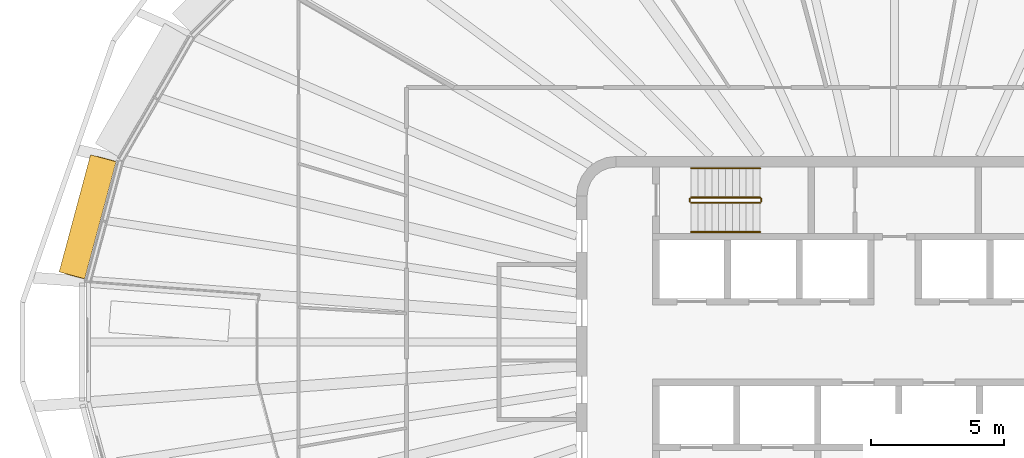
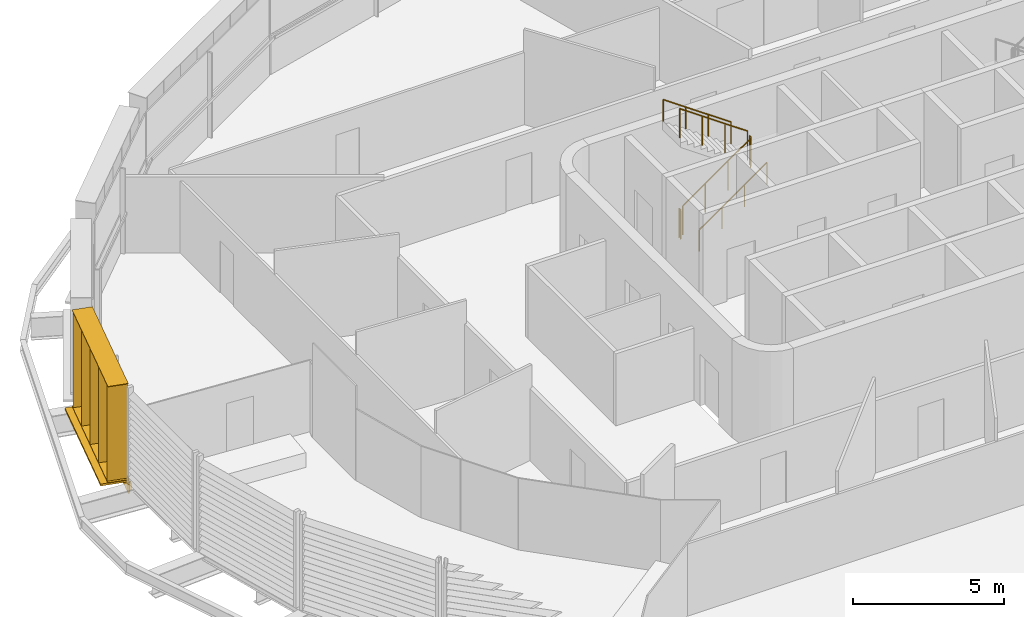
# One storey, part 17 of 20: 6 railings, 2 shading devices.
"""IFC4 building model written with IfcOpenShell, lengths in metres."""

from ifc_helpers import new_model, si_unit, direction, frame, origin, origin_2d, place, context, subcontext, project, spatial, rectangle, circle, extrude, material, type_object, element, save


model = new_model("IFC4")

# Units and contexts
model_context = context("Model", 3, precision=1e-05, world=origin(), true_north=direction((0.0, 1.0)))
body_context = subcontext(model_context, "Body", "Model", "MODEL_VIEW")
ifc_project = project(units=[si_unit("LENGTHUNIT", "METRE"), si_unit("AREAUNIT", "SQUARE_METRE"), si_unit("VOLUMEUNIT", "CUBIC_METRE"), si_unit("PLANEANGLEUNIT", "RADIAN"), si_unit("MASSUNIT", "GRAM", prefix="KILO")], contexts=[model_context])

# Site, building, storey
site_placement = place(None, origin())
site = spatial("IfcSite", under=ifc_project, at=site_placement, CompositionType="ELEMENT")
building_placement = place(site_placement, origin())
building = spatial("IfcBuilding", under=site, at=building_placement, Name="Sahrelin Media Tower", CompositionType="ELEMENT")
storey_placement = place(building_placement, frame((0.0, 0.0, 221.60009765625)))
storey = spatial("IfcBuildingStorey", under=building, at=storey_placement, Name="L47", CompositionType="ELEMENT", Elevation=221.60009765625)

# Shading device
ifc_material_1 = material(Name="Champagne anodised aluminium 6063-T6", Category="aluminium")
shading_device_type_1 = type_object("IfcShadingDeviceType", Name="Fin cassette", PredefinedType="USERDEFINED", material=ifc_material_1)
placement = place(storey_placement, frame((-29.930419921875, 4.587646484375, 0.0), z_axis=(0.0, 0.0, 1.0), x_axis=(0.258807731996, 0.965928857556, 0.0)))
element("IfcShadingDevice", 1, at=placement, inside=storey, type_object=shading_device_type_1, Name="L47:FIN:L47-11", ObjectType="FIN", PredefinedType="USERDEFINED", context=body_context, shape_type="SweptSolid", body=[
    extrude(rectangle(XDim=4.60009765625, YDim=0.699951171875, at=origin_2d()), frame((0.0, 0.419921875, 0.0)), (0.0, 0.0, 1.0), 0.02001953125),
    extrude(rectangle(XDim=4.60009765625, YDim=0.699951171875, at=origin_2d()), frame((0.0, 0.419921875, 3.89990234375)), (0.0, 0.0, 1.0), 0.02001953125),
    extrude(rectangle(XDim=0.02001953125, YDim=0.699951171875, at=origin_2d()), frame((-2.199951171875, 0.419921875, 0.010009765625), z_axis=(0.0, 0.0, 1.0), x_axis=(1.0, 0.0, 0.0)), (0.0, 0.0, 1.0), 3.89990234375),
    extrude(rectangle(XDim=0.02001953125, YDim=0.699951171875, at=origin_2d()), frame((-1.10009765625, 0.419921875, 0.010009765625), z_axis=(0.0, 0.0, 1.0), x_axis=(1.0, 0.0, 0.0)), (0.0, 0.0, 1.0), 3.89990234375),
    extrude(rectangle(XDim=0.02001953125, YDim=0.699951171875, at=origin_2d()), frame((0.0, 0.419921875, 0.010009765625), z_axis=(0.0, 0.0, 1.0), x_axis=(1.0, 0.0, 0.0)), (0.0, 0.0, 1.0), 3.89990234375),
    extrude(rectangle(XDim=0.02001953125, YDim=0.699951171875, at=origin_2d()), frame((1.10009765625, 0.419921875, 0.010009765625), z_axis=(0.0, 0.0, 1.0), x_axis=(1.0, 0.0, 0.0)), (0.0, 0.0, 1.0), 3.89990234375),
    extrude(rectangle(XDim=0.02001953125, YDim=0.699951171875, at=origin_2d()), frame((2.199951171875, 0.419921875, 0.010009765625), z_axis=(0.0, 0.0, 1.0), x_axis=(1.0, 0.0, 0.0)), (0.0, 0.0, 1.0), 3.89990234375),
])

# Railings
ifc_material_2 = material(Name="Steel S355", Category="steel")
railing_type_1 = type_object("IfcRailingType", Name="Stair guard 1200", PredefinedType="GUARDRAIL", material=ifc_material_2)
railing_1_placement = place(storey_placement, frame((-7.675048828125, 5.25, 0.181640625)))
element("IfcRailing", 2, at=railing_1_placement, inside=storey, type_object=railing_type_1, Name="L47 ST1 stair guard 1", PredefinedType="GUARDRAIL", context=body_context, shape_type="SweptSolid", body=[
    extrude(circle(Radius=0.02392578125, at=origin_2d()), frame((0.0, 0.0, 1.17578125), z_axis=(0.819484887739, 0.0, 0.573100792852), x_axis=(0.0, 1.0, 0.0)), (0.0, 0.0, 1.0), 3.1728515625),
    extrude(circle(Radius=0.02099609375, at=origin_2d()), origin(), (0.0, 0.0, 1.0), 1.15185546875),
    extrude(circle(Radius=0.02099609375, at=origin_2d()), frame((0.86669921875, 0.0, 0.606201171875)), (0.0, 0.0, 1.0), 1.15185546875),
    extrude(circle(Radius=0.02099609375, at=origin_2d()), frame((1.7333984375, 0.0, 1.212158203125)), (0.0, 0.0, 1.0), 1.15185546875),
    extrude(circle(Radius=0.02099609375, at=origin_2d()), frame((2.60009765625, 0.0, 1.818359375)), (0.0, 0.0, 1.0), 1.15185546875),
])
railing_2_placement = place(storey_placement, frame((-5.02490234375, 5.300048828125, 2.0)))
element("IfcRailing", 3, at=railing_2_placement, inside=storey, type_object=railing_type_1, Name="L47 ST1 stair guard 2", PredefinedType="GUARDRAIL", context=body_context, shape_type="SweptSolid", body=[
    extrude(circle(Radius=0.02392578125, at=origin_2d()), frame((0.0, 0.0, 1.17578125), z_axis=(0.0, 1.0, 0.0), x_axis=(-1.0, 0.0, 0.0)), (0.0, 0.0, 1.0), 0.099853515625),
    extrude(circle(Radius=0.02099609375, at=origin_2d()), origin(), (0.0, 0.0, 1.0), 1.15185546875),
    extrude(circle(Radius=0.02099609375, at=origin_2d()), frame((0.0, 0.099853515625, 0.0)), (0.0, 0.0, 1.0), 1.15185546875),
])
railing_3_placement = place(storey_placement, frame((-5.074951171875, 5.449951171875, 2.181640625)))
element("IfcRailing", 4, at=railing_3_placement, inside=storey, type_object=railing_type_1, Name="L47 ST1 stair guard 3", PredefinedType="GUARDRAIL", context=body_context, shape_type="SweptSolid", body=[
    extrude(circle(Radius=0.02392578125, at=origin_2d()), frame((0.0, 0.0, 1.17578125), z_axis=(-0.819484887739, 0.0, 0.573100792852), x_axis=(0.0, -1.0, 0.0)), (0.0, 0.0, 1.0), 3.1728515625),
    extrude(circle(Radius=0.02099609375, at=origin_2d()), origin(), (0.0, 0.0, 1.0), 1.15185546875),
    extrude(circle(Radius=0.02099609375, at=origin_2d()), frame((-0.86669921875, 0.0, 0.606201171875)), (0.0, 0.0, 1.0), 1.15185546875),
    extrude(circle(Radius=0.02099609375, at=origin_2d()), frame((-1.7333984375, 0.0, 1.212158203125)), (0.0, 0.0, 1.0), 1.15185546875),
    extrude(circle(Radius=0.02099609375, at=origin_2d()), frame((-2.60009765625, 0.0, 1.818359375)), (0.0, 0.0, 1.0), 1.15185546875),
])
railing_4_placement = place(storey_placement, frame((-7.72509765625, 5.300048828125, 0.0)))
element("IfcRailing", 5, at=railing_4_placement, inside=storey, type_object=railing_type_1, Name="L47 ST1 stair guard 4", PredefinedType="GUARDRAIL", context=body_context, shape_type="SweptSolid", body=[
    extrude(circle(Radius=0.02392578125, at=origin_2d()), frame((0.0, 0.0, 1.17578125), z_axis=(0.0, 1.0, 0.0), x_axis=(-1.0, 0.0, 0.0)), (0.0, 0.0, 1.0), 0.099853515625),
    extrude(circle(Radius=0.02099609375, at=origin_2d()), origin(), (0.0, 0.0, 1.0), 1.15185546875),
    extrude(circle(Radius=0.02099609375, at=origin_2d()), frame((0.0, 0.099853515625, 0.0)), (0.0, 0.0, 1.0), 1.15185546875),
])
railing_type_2 = type_object("IfcRailingType", Name="Stair handrail 900", PredefinedType="HANDRAIL", material=ifc_material_2)
railing_5_placement = place(storey_placement, frame((-7.675048828125, 4.14990234375, 0.181640625)))
element("IfcRailing", 6, at=railing_5_placement, inside=storey, type_object=railing_type_2, Name="L47 ST1 stair handrail 1", PredefinedType="HANDRAIL", context=body_context, shape_type="SweptSolid", body=[
    extrude(circle(Radius=0.02392578125, at=origin_2d()), frame((0.0, 0.0, 0.8759765625), z_axis=(0.819484887739, 0.0, 0.573100792852), x_axis=(0.0, 1.0, 0.0)), (0.0, 0.0, 1.0), 3.1728515625),
    extrude(circle(Radius=0.02099609375, at=origin_2d()), origin(), (0.0, 0.0, 1.0), 0.851806640625),
    extrude(circle(Radius=0.02099609375, at=origin_2d()), frame((0.86669921875, 0.0, 0.606201171875)), (0.0, 0.0, 1.0), 0.851806640625),
    extrude(circle(Radius=0.02099609375, at=origin_2d()), frame((1.7333984375, 0.0, 1.212158203125)), (0.0, 0.0, 1.0), 0.851806640625),
    extrude(circle(Radius=0.02099609375, at=origin_2d()), frame((2.60009765625, 0.0, 1.818359375)), (0.0, 0.0, 1.0), 0.851806640625),
])
railing_6_placement = place(storey_placement, frame((-5.074951171875, 6.550048828125, 2.181640625)))
element("IfcRailing", 7, at=railing_6_placement, inside=storey, type_object=railing_type_2, Name="L47 ST1 stair handrail 2", PredefinedType="HANDRAIL", context=body_context, shape_type="SweptSolid", body=[
    extrude(circle(Radius=0.02392578125, at=origin_2d()), frame((0.0, 0.0, 0.8759765625), z_axis=(-0.819484887739, 0.0, 0.573100792852), x_axis=(0.0, -1.0, 0.0)), (0.0, 0.0, 1.0), 3.1728515625),
    extrude(circle(Radius=0.02099609375, at=origin_2d()), origin(), (0.0, 0.0, 1.0), 0.851806640625),
    extrude(circle(Radius=0.02099609375, at=origin_2d()), frame((-0.86669921875, 0.0, 0.606201171875)), (0.0, 0.0, 1.0), 0.851806640625),
    extrude(circle(Radius=0.02099609375, at=origin_2d()), frame((-1.7333984375, 0.0, 1.212158203125)), (0.0, 0.0, 1.0), 0.851806640625),
    extrude(circle(Radius=0.02099609375, at=origin_2d()), frame((-2.60009765625, 0.0, 1.818359375)), (0.0, 0.0, 1.0), 0.851806640625),
])

# Shading device
shading_device_type_2 = type_object("IfcShadingDeviceType", Name="Sunshade band", PredefinedType="USERDEFINED", material=ifc_material_1)
element("IfcShadingDevice", 8, at=placement, inside=storey, type_object=shading_device_type_2, Name="L47:SUN:L47-11", ObjectType="SUNSHADE", PredefinedType="USERDEFINED", context=body_context, shape_type="SweptSolid", body=[
    extrude(rectangle(XDim=4.573486328125, YDim=0.050048828125, at=origin_2d()), frame((0.0, 0.044921875, -0.55126953125)), (0.0, 0.0, 1.0), 0.471435546875),
    extrude(rectangle(XDim=4.573486328125, YDim=1.0, at=origin_2d()), frame((0.0, 0.52001953125, -0.080078125)), (0.0, 0.0, 1.0), 0.080078125),
    extrude(rectangle(XDim=0.10009765625, YDim=0.074951171875, at=origin_2d()), frame((-2.186767578125, -0.017578125, -0.47021484375)), (0.0, 0.0, 1.0), 0.300048828125),
    extrude(rectangle(XDim=0.10009765625, YDim=0.074951171875, at=origin_2d()), frame((-0.72900390625, -0.017578125, -0.47021484375)), (0.0, 0.0, 1.0), 0.300048828125),
    extrude(rectangle(XDim=0.10009765625, YDim=0.074951171875, at=origin_2d()), frame((0.72900390625, -0.017578125, -0.47021484375)), (0.0, 0.0, 1.0), 0.300048828125),
    extrude(rectangle(XDim=0.10009765625, YDim=0.074951171875, at=origin_2d()), frame((2.186767578125, -0.017578125, -0.47021484375)), (0.0, 0.0, 1.0), 0.300048828125),
])

save(model, "model.ifc")
